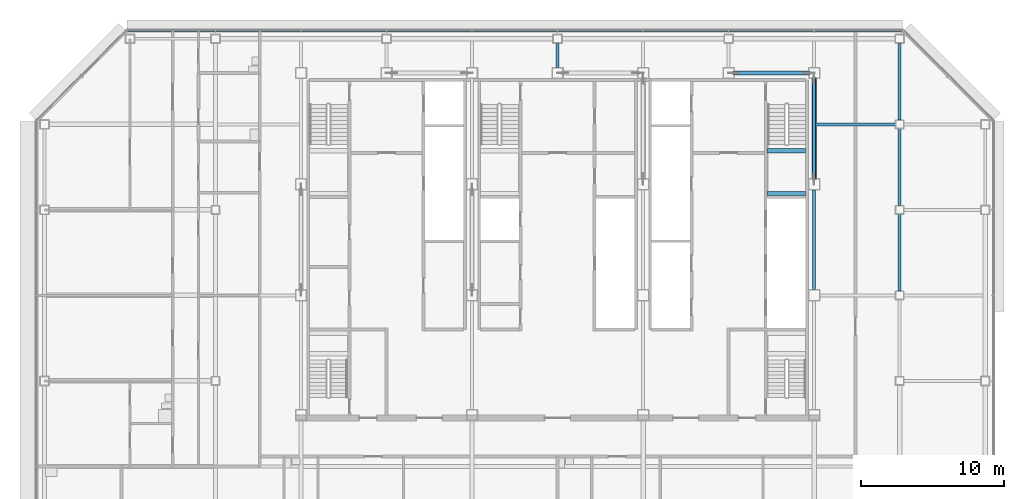
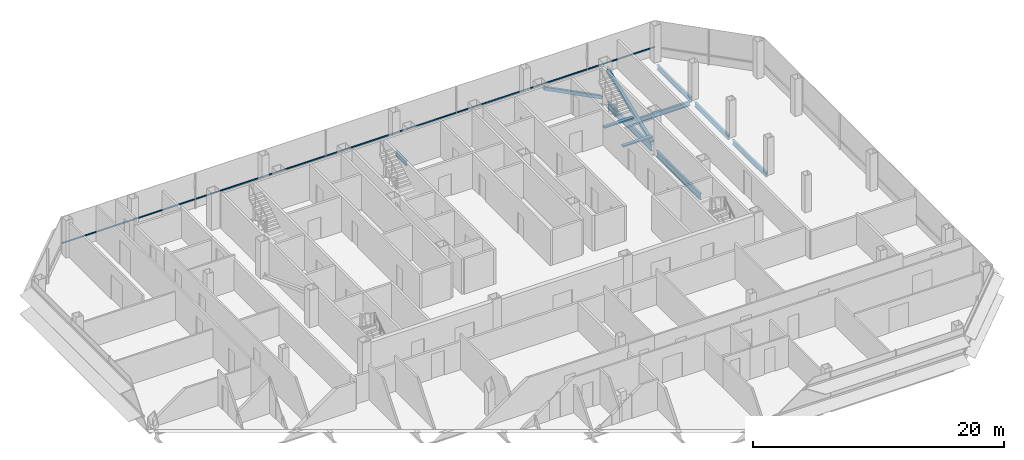
# One storey, part 14 of 27: 9 beams, 3 members, 1 element without a shape of its own.
"""IFC4 building model written with IfcOpenShell, lengths in metres."""

from ifc_helpers import new_model, si_unit, direction, frame, origin, origin_2d, place, context, subcontext, project, spatial, rectangle, hollow_rectangle, i_section, extrude, material, material_profile, profile_set, type_object, element, aggregate, save


model = new_model("IFC4")

# Units and contexts
model_context = context("Model", 3, precision=1e-05, world=origin(), true_north=direction((0.0, 1.0)))
body_context = subcontext(model_context, "Body", "Model", "MODEL_VIEW")
ifc_project = project(units=[si_unit("LENGTHUNIT", "METRE"), si_unit("AREAUNIT", "SQUARE_METRE"), si_unit("VOLUMEUNIT", "CUBIC_METRE"), si_unit("PLANEANGLEUNIT", "RADIAN"), si_unit("MASSUNIT", "GRAM", prefix="KILO")], contexts=[model_context])

# Site, building, storey
site_placement = place(None, origin())
site = spatial("IfcSite", under=ifc_project, at=site_placement, CompositionType="ELEMENT")
building_placement = place(site_placement, origin())
building = spatial("IfcBuilding", under=site, at=building_placement, Name="Sorahane Residences", CompositionType="ELEMENT")
storey_placement = place(building_placement, frame((0.0, 0.0, 226.199951171875)))
storey = spatial("IfcBuildingStorey", under=building, at=storey_placement, Name="L53", CompositionType="ELEMENT", Elevation=226.199951171875)

# Members
ifc_material_1 = material(Name="Steel Q355B", Category="steel")
ifc_material_profile_1 = material_profile(ifc_material_1, hollow_rectangle(XDim=0.300048828125, YDim=0.300048828125, WallThickness=0.01611328125, InnerFilletRadius=0.008056640625, OuterFilletRadius=0.02392578125, at=origin_2d()), Name="RHS 300x300x16")
ifc_profile_set_1 = profile_set([ifc_material_profile_1], Name="Steel Q355B")
member_type_1 = type_object("IfcMemberType", Name="Core brace RHS 300x300x16 Q355B", PredefinedType="BRACE", material=ifc_profile_set_1)
member_1_placement = place(storey_placement, frame((41.64111328125, 45.60009765625, 0.12890625), z_axis=(-0.889590046837, 0.0, 0.45675983686), x_axis=(0.0, -1.0, 0.0)))
element("IfcMember", 1, at=member_1_placement, inside=storey, type_object=member_type_1, Name="Core brace L53 y45.6-6", PredefinedType="BRACE", context=body_context, shape_type="SweptSolid", body=[
    extrude(hollow_rectangle(XDim=0.300048828125, YDim=0.300048828125, WallThickness=0.01611328125, InnerFilletRadius=0.008056640625, OuterFilletRadius=0.02392578125, at=origin_2d()), origin(), (0.0, 0.0, 1.0), 5.937744140625),
])
member_2_placement = place(storey_placement, frame((42.0, 38.16796875, 0.1376953125), z_axis=(0.0, 0.934335722983, 0.356394103147), x_axis=(-1.0, 0.0, 0.0)))
element("IfcMember", 2, at=member_2_placement, inside=storey, type_object=member_type_1, Name="Core brace L53 x42-3", PredefinedType="BRACE", context=body_context, shape_type="SweptSolid", body=[
    extrude(hollow_rectangle(XDim=0.300048828125, YDim=0.300048828125, WallThickness=0.01611328125, InnerFilletRadius=0.008056640625, OuterFilletRadius=0.02392578125, at=origin_2d()), origin(), (0.0, 0.0, 1.0), 7.560791015625),
])

# Curtain wall, member
ifc_material_2 = material(Name="Dark low-e glass and black anodised aluminium", Category="aluminium")
curtain_wall_type = type_object("IfcCurtainWallType", Name="Curtain wall CW-1 Typical unitised wall", PredefinedType="NOTDEFINED", material=ifc_material_2)
curtain_wall_placement = place(storey_placement, origin())
curtain_wall = element("IfcCurtainWall", 3, at=curtain_wall_placement, inside=storey, type_object=curtain_wall_type, Name="CW-1 curtain wall L53 N1", PredefinedType="NOTDEFINED")
ifc_material_3 = material(Name="Black anodised aluminium", Category="aluminium")
ifc_material_profile_2 = material_profile(ifc_material_3, rectangle(XDim=0.10009765625, YDim=0.06005859375, at=origin_2d()), Name="Curtain wall transom CW-1 black anodised aluminium 60x100")
ifc_profile_set_2 = profile_set([ifc_material_profile_2], Name="Black anodised aluminium")
member_type_2 = type_object("IfcMemberType", Name="Curtain wall transom CW-1 black anodised aluminium 60x100", PredefinedType="USERDEFINED", material=ifc_profile_set_2)
member_3_placement = place(storey_placement, frame((48.198486328125, 48.530029296875, 0.900146484375), z_axis=(-1.0, 0.0, 0.0), x_axis=(0.0, -1.0, 0.0)))
member_3 = element("IfcMember", 4, at=member_3_placement, type_object=member_type_2, Name="CW-1 transom L53 N1", ObjectType="TRANSOM", PredefinedType="USERDEFINED", context=body_context, shape_type="SweptSolid", body=[
    extrude(rectangle(XDim=0.10009765625, YDim=0.06005859375, at=origin_2d()), origin(), (0.0, 0.0, 1.0), 54.39697265625),
])
aggregate(curtain_wall, [member_3])

# Beams
ifc_material_4 = material(Name="Concrete C40", Category="concrete")
ifc_material_profile_3 = material_profile(ifc_material_4, rectangle(XDim=0.300048828125, YDim=0.139892578125, at=origin_2d()), Name="300x140")
ifc_profile_set_3 = profile_set([ifc_material_profile_3], Name="Concrete C40")
beam_type_1 = type_object("IfcBeamType", Name="RC landing beam 300 x 140 Concrete C40", PredefinedType="BEAM", material=ifc_profile_set_3)
for number, where, z_axis, x_axis, name in (
    (5, (38.699951171875, 37.14990234375, 1.530029296875), (1.0, 0.0, 0.0), (0.0, 1.0, 0.0), "Landing beam"),
    (6, (38.699951171875, 40.14990234375, 1.530029296875), (1.0, 0.0, 0.0), (0.0, 1.0, 0.0), "Landing beam"),
):
    element("IfcBeam", number, at=place(storey_placement, frame(where, z_axis=z_axis, x_axis=x_axis)), inside=storey, type_object=beam_type_1, Name=name, PredefinedType="BEAM", context=body_context, shape_type="SweptSolid", body=[
        extrude(rectangle(XDim=0.300048828125, YDim=0.139892578125, at=origin_2d()), origin(), (0.0, 0.0, 1.0), 2.699951171875),
    ])
ifc_material_5 = material(Name="Steel Q355B", Category="steel")
ifc_material_profile_4 = material_profile(ifc_material_5, i_section(OverallWidth=0.199951171875, OverallDepth=0.449951171875, WebThickness=0.009033203125, FlangeThickness=0.013916015625, FilletRadius=0.02001953125, at=origin_2d()), Name="HN 450x200x9x14")
ifc_profile_set_4 = profile_set([ifc_material_profile_4], Name="Steel Q355B")
beam_type_2 = type_object("IfcBeamType", Name="Steel floor beam HN 450x200x9x14 Q355B", PredefinedType="BEAM", material=ifc_profile_set_4)
beam_1_placement = place(storey_placement, frame((24.0, 46.0, -0.405029296875), z_axis=(0.0, 1.0, 0.0), x_axis=(-1.0, 0.0, 0.0)))
element("IfcBeam", 7, at=beam_1_placement, inside=storey, type_object=beam_type_2, Name="Beam L53 043", PredefinedType="BEAM", context=body_context, shape_type="SweptSolid", body=[
    extrude(i_section(OverallWidth=0.199951171875, OverallDepth=0.449951171875, WebThickness=0.009033203125, FlangeThickness=0.013916015625, FilletRadius=0.02001953125, at=origin_2d()), origin(), (0.0, 0.0, 1.0), 1.675048828125),
])
for number, where, z_axis, x_axis, name in (
    (8, (48.0, 30.300048828125, -0.405029296875), (0.0, 1.0, 0.0), (-1.0, 0.0, 0.0), "Beam L53 061"),
    (9, (48.0, 36.300048828125, -0.405029296875), (0.0, 1.0, 0.0), (-1.0, 0.0, 0.0), "Beam L53 062"),
):
    element("IfcBeam", number, at=place(storey_placement, frame(where, z_axis=z_axis, x_axis=x_axis)), inside=storey, type_object=beam_type_2, Name=name, PredefinedType="BEAM", context=body_context, shape_type="SweptSolid", body=[
        extrude(i_section(OverallWidth=0.199951171875, OverallDepth=0.449951171875, WebThickness=0.009033203125, FlangeThickness=0.013916015625, FilletRadius=0.02001953125, at=origin_2d()), origin(), (0.0, 0.0, 1.0), 5.39990234375),
    ])
beam_2_placement = place(storey_placement, frame((48.0, 42.300048828125, -0.405029296875), z_axis=(0.0, 1.0, 0.0), x_axis=(-1.0, 0.0, 0.0)))
element("IfcBeam", 10, at=beam_2_placement, inside=storey, type_object=beam_type_2, Name="Beam L53 063", PredefinedType="BEAM", context=body_context, shape_type="SweptSolid", body=[
    extrude(i_section(OverallWidth=0.199951171875, OverallDepth=0.449951171875, WebThickness=0.009033203125, FlangeThickness=0.013916015625, FilletRadius=0.02001953125, at=origin_2d()), origin(), (0.0, 0.0, 1.0), 5.375),
])
beam_3_placement = place(storey_placement, frame((42.10009765625, 42.0, -0.405029296875), z_axis=(1.0, 0.0, 0.0), x_axis=(0.0, 1.0, 0.0)))
element("IfcBeam", 11, at=beam_3_placement, inside=storey, type_object=beam_type_2, Name="Beam L53 091", PredefinedType="BEAM", context=body_context, shape_type="SweptSolid", body=[
    extrude(i_section(OverallWidth=0.199951171875, OverallDepth=0.449951171875, WebThickness=0.009033203125, FlangeThickness=0.013916015625, FilletRadius=0.02001953125, at=origin_2d()), origin(), (0.0, 0.0, 1.0), 5.599853515625),
])
ifc_material_6 = material(Name="Steel Q355B", Category="steel")
ifc_material_profile_5 = material_profile(ifc_material_6, i_section(OverallWidth=0.199951171875, OverallDepth=0.60009765625, WebThickness=0.010986328125, FlangeThickness=0.01708984375, FilletRadius=0.02392578125, at=origin_2d()), Name="HN 600x200x11x17")
ifc_profile_set_5 = profile_set([ifc_material_profile_5], Name="Steel Q355B")
beam_type_3 = type_object("IfcBeamType", Name="Steel floor beam HN 600x200x11x17 Q355B", PredefinedType="BEAM", material=ifc_profile_set_5)
for number, where, z_axis, x_axis, name in (
    (12, (42.0, 30.39990234375, -0.47998046875), (0.0, 1.0, 0.0), (-1.0, 0.0, 0.0), "Beam L53 055"),
    (13, (42.0, 38.199951171875, -0.47998046875), (0.0, 1.0, 0.0), (-1.0, 0.0, 0.0), "Beam L53 056"),
):
    element("IfcBeam", number, at=place(storey_placement, frame(where, z_axis=z_axis, x_axis=x_axis)), inside=storey, type_object=beam_type_3, Name=name, PredefinedType="BEAM", context=body_context, shape_type="SweptSolid", body=[
        extrude(i_section(OverallWidth=0.199951171875, OverallDepth=0.60009765625, WebThickness=0.010986328125, FlangeThickness=0.01708984375, FilletRadius=0.02392578125, at=origin_2d()), origin(), (0.0, 0.0, 1.0), 7.0),
    ])

save(model, "model.ifc")
